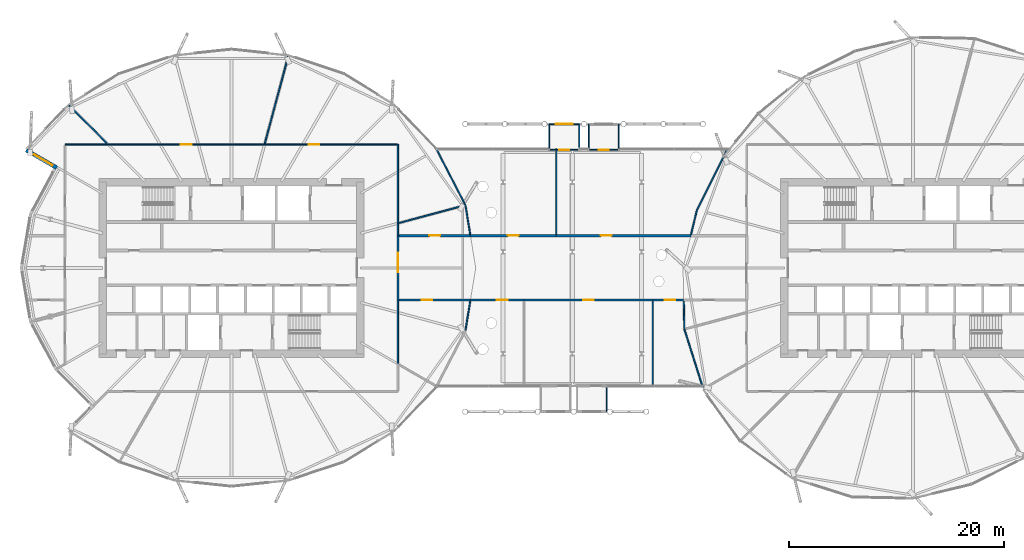
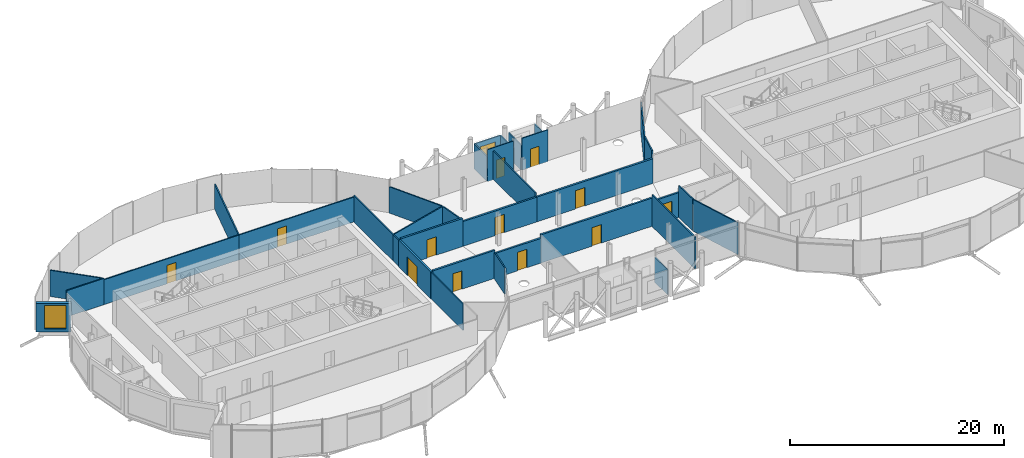
# One storey, part 26 of 39: 35 walls, 12 doors, 2 windows, 14 openings.
"""IFC4 building model written with IfcOpenShell, lengths in metres."""

from ifc_helpers import new_model, si_unit, direction, frame, frame_2d, origin, place, context, subcontext, project, spatial, rectangle, extrude, material, layer, layer_set, type_object, element, fill, save


model = new_model("IFC4")

# Units and contexts
model_context = context("Model", 3, precision=1e-05, world=origin(), true_north=direction((0.0, 1.0)))
body_context = subcontext(model_context, "Body", "Model", "MODEL_VIEW")
ifc_project = project(units=[si_unit("LENGTHUNIT", "METRE"), si_unit("AREAUNIT", "SQUARE_METRE"), si_unit("VOLUMEUNIT", "CUBIC_METRE"), si_unit("PLANEANGLEUNIT", "RADIAN"), si_unit("MASSUNIT", "GRAM", prefix="KILO")], contexts=[model_context])

# Site, building, storey
site_placement = place(None, origin())
site = spatial("IfcSite", under=ifc_project, at=site_placement, CompositionType="ELEMENT")
building_placement = place(site_placement, origin())
building = spatial("IfcBuilding", under=site, at=building_placement, Name="Rimbun Link Towers", CompositionType="ELEMENT")
storey_placement = place(building_placement, frame((0.0, 0.0, 143.0)))
storey = spatial("IfcBuildingStorey", under=building, at=storey_placement, Name="L34", CompositionType="ELEMENT", Elevation=143.0)

# Walls
ifc_material_1 = material(Name="Terracotta-faced insulated sandwich panel", Category="masonry")
ifc_layer_1 = layer(ifc_material_1, 0.10009765625)
ifc_layer_set_1 = layer_set([ifc_layer_1], Name="CAPSULE shell panel 100")
wall_type_1 = type_object("IfcWallType", Name="CAPSULE shell panel 100", PredefinedType="STANDARD", material=ifc_layer_set_1)
for number, where, z_axis, x_axis, name in (
    (1, (3.21337890625, -13.39990234375, -0.06005859375), (0.0, 0.0, 1.0), (0.0, 1.0, 0.0), "CAPSULE F34.12 shell panel 3"),
    (2, (0.646728515625, 11.0, -0.06005859375), (0.0, 0.0, 1.0), (0.0, 1.0, 0.0), "CAPSULE F34.01 shell panel 1"),
):
    element("IfcWall", number, at=place(storey_placement, frame(where, z_axis=z_axis, x_axis=x_axis)), inside=storey, type_object=wall_type_1, Name=name, PredefinedType="STANDARD", context=body_context, shape_type="SweptSolid", body=[
        extrude(rectangle(XDim=2.39990234375, YDim=0.10009765625, at=frame_2d((1.199951171875, 0.0))), origin(), (0.0, 0.0, 1.0), 2.85009765625),
    ])

# Wall, opening, window
wall_1_placement = place(storey_placement, frame((0.646728515625, 13.39990234375, -0.06005859375), z_axis=(0.0, 0.0, 1.0), x_axis=(-1.0, 0.0, 0.0)))
wall_1 = element("IfcWall", 3, at=wall_1_placement, inside=storey, type_object=wall_type_1, Name="CAPSULE F34.01 shell panel 2", PredefinedType="STANDARD", context=body_context, shape_type="SweptSolid", body=[
    extrude(rectangle(XDim=2.800048828125, YDim=0.10009765625, at=frame_2d((1.39990234375, 0.0))), origin(), (0.0, 0.0, 1.0), 2.85009765625),
])
opening_1_placement = place(wall_1_placement, frame((0.60009765625, 0.0, 0.89990234375)))
opening_1 = element("IfcOpeningElement", 4, at=opening_1_placement, cuts=wall_1, Name="Opening CN34.01", PredefinedType="OPENING", context=body_context, shape_type="SweptSolid", body=[
    extrude(rectangle(XDim=1.60009765625, YDim=1.39990234375, at=frame_2d((0.800048828125, 0.699951171875))), frame((0.0, 0.06005859375, 0.0), z_axis=(0.0, -1.0, 0.0), x_axis=(1.0, 0.0, 0.0)), (0.0, 0.0, 1.0), 0.1201171875),
])
ifc_material_2 = material(Name="Aluminium framed window, low-iron glass", Category="aluminium")
window_type_1 = type_object("IfcWindowType", Name="CAPSULE window 1600X1400", PartitioningType="SINGLE_PANEL", PredefinedType="WINDOW", material=ifc_material_2)
window_1_placement = place(opening_1_placement, origin())
window_1 = element("IfcWindow", 5, at=window_1_placement, inside=storey, type_object=window_type_1, Name="CAPSULE F34.01 window", OverallHeight=1.39990234375, OverallWidth=1.60009765625, PartitioningType="SINGLE_PANEL", PredefinedType="WINDOW", context=body_context, shape_type="SweptSolid", body=[
    extrude(rectangle(XDim=1.60009765625, YDim=1.39990234375, at=frame_2d((0.800048828125, 0.699951171875))), frame((0.0, 0.030029296875, 0.0), z_axis=(0.0, -1.0, 0.0), x_axis=(1.0, 0.0, 0.0)), (0.0, 0.0, 1.0), 0.06005859375),
])
fill(opening_1, window_1)

# Wall
wall_2_placement = place(storey_placement, frame((-2.1533203125, 13.39990234375, -0.06005859375), z_axis=(0.0, 0.0, 1.0), x_axis=(0.0, -1.0, 0.0)))
element("IfcWall", 6, at=wall_2_placement, inside=storey, type_object=wall_type_1, Name="CAPSULE F34.01 shell panel 3", PredefinedType="STANDARD", context=body_context, shape_type="SweptSolid", body=[
    extrude(rectangle(XDim=2.39990234375, YDim=0.10009765625, at=frame_2d((1.199951171875, 0.0))), origin(), (0.0, 0.0, 1.0), 2.85009765625),
])

# Wall, opening, door
wall_3_placement = place(storey_placement, frame((-2.1533203125, 11.0, -0.06005859375), z_axis=(0.0, 0.0, 1.0), x_axis=(1.0, 0.0, 0.0)))
wall_3 = element("IfcWall", 7, at=wall_3_placement, inside=storey, type_object=wall_type_1, Name="CAPSULE F34.01 shell panel 4", PredefinedType="STANDARD", context=body_context, shape_type="SweptSolid", body=[
    extrude(rectangle(XDim=2.800048828125, YDim=0.10009765625, at=frame_2d((1.39990234375, 0.0))), origin(), (0.0, 0.0, 1.0), 3.64013671875),
])
opening_2_placement = place(wall_3_placement, frame((0.949951171875, 0.0, 0.0)))
opening_2 = element("IfcOpeningElement", 8, at=opening_2_placement, cuts=wall_3, Name="Opening CD34.01", PredefinedType="OPENING", context=body_context, shape_type="SweptSolid", body=[
    extrude(rectangle(XDim=0.89990234375, YDim=2.10009765625, at=frame_2d((0.449951171875, 1.050048828125))), frame((0.0, 0.06005859375, 0.0), z_axis=(0.0, -1.0, 0.0), x_axis=(1.0, 0.0, 0.0)), (0.0, 0.0, 1.0), 0.1201171875),
])
ifc_material_3 = material(Name="Aluminium framed insulated door leaf", Category="aluminium")
door_type_1 = type_object("IfcDoorType", Name="CAPSULE door single leaf 900X2100", OperationType="SINGLE_SWING_LEFT", PredefinedType="DOOR", material=ifc_material_3)
door_1_placement = place(opening_2_placement, origin())
door_1 = element("IfcDoor", 9, at=door_1_placement, inside=storey, type_object=door_type_1, Name="CAPSULE F34.01 door", OperationType="SINGLE_SWING_RIGHT", OverallHeight=2.10009765625, OverallWidth=0.89990234375, PredefinedType="DOOR", context=body_context, shape_type="SweptSolid", body=[
    extrude(rectangle(XDim=0.89990234375, YDim=2.10009765625, at=frame_2d((0.449951171875, 1.050048828125))), frame((0.0, 0.02490234375, 0.0), z_axis=(0.0, -1.0, 0.0), x_axis=(1.0, 0.0, 0.0)), (0.0, 0.0, 1.0), 0.050048828125),
])
fill(opening_2, door_1)

# Walls
for number, where, z_axis, x_axis, name in (
    (10, (4.336669921875, 11.0, -0.06005859375), (0.0, 0.0, 1.0), (0.0, 1.0, 0.0), "CAPSULE F34.02 shell panel 1"),
    (11, (1.536865234375, 13.39990234375, -0.06005859375), (0.0, 0.0, 1.0), (0.0, -1.0, 0.0), "CAPSULE F34.02 shell panel 3"),
):
    element("IfcWall", number, at=place(storey_placement, frame(where, z_axis=z_axis, x_axis=x_axis)), inside=storey, type_object=wall_type_1, Name=name, PredefinedType="STANDARD", context=body_context, shape_type="SweptSolid", body=[
        extrude(rectangle(XDim=2.39990234375, YDim=0.10009765625, at=frame_2d((1.199951171875, 0.0))), origin(), (0.0, 0.0, 1.0), 2.85009765625),
    ])

# Wall, opening, door
wall_4_placement = place(storey_placement, frame((1.536865234375, 11.0, -0.06005859375), z_axis=(0.0, 0.0, 1.0), x_axis=(1.0, 0.0, 0.0)))
wall_4 = element("IfcWall", 12, at=wall_4_placement, inside=storey, type_object=wall_type_1, Name="CAPSULE F34.02 shell panel 4", PredefinedType="STANDARD", context=body_context, shape_type="SweptSolid", body=[
    extrude(rectangle(XDim=2.7998046875, YDim=0.10009765625, at=frame_2d((1.39990234375, 0.0))), origin(), (0.0, 0.0, 1.0), 3.64013671875),
])
opening_3_placement = place(wall_4_placement, frame((0.949951171875, 0.0, 0.0)))
opening_3 = element("IfcOpeningElement", 13, at=opening_3_placement, cuts=wall_4, Name="Opening CD34.02", PredefinedType="OPENING", context=body_context, shape_type="SweptSolid", body=[
    extrude(rectangle(XDim=0.89990234375, YDim=2.10009765625, at=frame_2d((0.449951171875, 1.050048828125))), frame((0.0, 0.06005859375, 0.0), z_axis=(0.0, -1.0, 0.0), x_axis=(1.0, 0.0, 0.0)), (0.0, 0.0, 1.0), 0.1201171875),
])
door_2_placement = place(opening_3_placement, origin())
door_2 = element("IfcDoor", 14, at=door_2_placement, inside=storey, type_object=door_type_1, Name="CAPSULE F34.02 door", OperationType="SINGLE_SWING_LEFT", OverallHeight=2.10009765625, OverallWidth=0.89990234375, PredefinedType="DOOR", context=body_context, shape_type="SweptSolid", body=[
    extrude(rectangle(XDim=0.89990234375, YDim=2.10009765625, at=frame_2d((0.449951171875, 1.050048828125))), frame((0.0, 0.02490234375, 0.0), z_axis=(0.0, -1.0, 0.0), x_axis=(1.0, 0.0, 0.0)), (0.0, 0.0, 1.0), 0.050048828125),
])
fill(opening_3, door_2)

# Wall, opening, window
ifc_material_4 = material(Name="Dark enamelled glass spandrel on insulated aluminium backpan", Category="aluminium")
ifc_layer_2 = layer(ifc_material_4, 0.3701171875)
ifc_layer_set_2 = layer_set([ifc_layer_2], Name="CS dark enamelled spandrel wall 370")
wall_type_2 = type_object("IfcWallType", Name="CS dark enamelled spandrel wall 370", PredefinedType="STANDARD", material=ifc_layer_set_2)
wall_5_placement = place(storey_placement, frame((-48.031494140625, 9.324951171875, 0.0), z_axis=(0.0, 0.0, 1.0), x_axis=(-0.866008333849, 0.50002956483, 0.0)))
wall_5 = element("IfcWall", 15, at=wall_5_placement, inside=storey, type_object=wall_type_2, Name="Crease spandrel wall", PredefinedType="STANDARD", context=body_context, shape_type="SweptSolid", body=[
    extrude(rectangle(XDim=3.280029296875, YDim=0.3701171875, at=frame_2d((1.64013671875, 0.0))), origin(), (0.0, 0.0, 1.0), 3.20361328125),
])
opening_4_placement = place(wall_5_placement, frame((0.4501953125, 0.0, 0.300048828125)))
opening_4 = element("IfcOpeningElement", 16, at=opening_4_placement, cuts=wall_5, Name="Opening WR20H270", PredefinedType="OPENING", context=body_context, shape_type="SweptSolid", body=[
    extrude(rectangle(XDim=2.0, YDim=2.699951171875, at=frame_2d((1.0, 1.35009765625))), frame((0.0, 0.195068359375, 0.0), z_axis=(0.0, -1.0, 0.0), x_axis=(1.0, 0.0, 0.0)), (0.0, 0.0, 1.0), 0.39013671875),
])
ifc_material_5 = material(Name="Aluminium framed fixed window, dark tinted low-e glass", Category="aluminium")
window_type_2 = type_object("IfcWindowType", Name="WR ribbon window 2000X2700", PartitioningType="SINGLE_PANEL", PredefinedType="WINDOW", material=ifc_material_5)
window_2_placement = place(opening_4_placement, origin())
window_2 = element("IfcWindow", 17, at=window_2_placement, inside=storey, type_object=window_type_2, Name="Crease ribbon window", OverallHeight=2.699951171875, OverallWidth=2.0, PartitioningType="SINGLE_PANEL", PredefinedType="WINDOW", context=body_context, shape_type="SweptSolid", body=[
    extrude(rectangle(XDim=2.0, YDim=2.699951171875, at=frame_2d((1.0, 1.35009765625))), frame((0.0, 0.030029296875, 0.0), z_axis=(0.0, -1.0, 0.0), x_axis=(1.0, 0.0, 0.0)), (0.0, 0.0, 1.0), 0.06005859375),
])
fill(opening_4, window_2)

# Wall, opening, door
ifc_material_6 = material(Name="Concrete blockwork", Category="masonry")
ifc_layer_3 = layer(ifc_material_6, 0.199951171875)
ifc_layer_set_3 = layer_set([ifc_layer_3], Name="Fire partition 200 blockwork")
wall_type_3 = type_object("IfcWallType", Name="Fire partition 200 blockwork", PredefinedType="PARTITIONING", material=ifc_layer_set_3)
wall_6_placement = place(storey_placement, frame((-1.5, 3.0, 0.0), z_axis=(0.0, 0.0, 1.0), x_axis=(-1.0, 0.0, 0.0)))
wall_6 = element("IfcWall", 18, at=wall_6_placement, inside=storey, type_object=wall_type_3, Name="TW/PW/L34/001", PredefinedType="PARTITIONING", context=body_context, shape_type="SweptSolid", body=[
    extrude(rectangle(XDim=7.98974609375, YDim=0.199951171875, at=frame_2d((3.994873046875, 0.0))), origin(), (0.0, 0.0, 1.0), 2.820068359375),
])
opening_5_placement = place(wall_6_placement, frame((3.4951171875, 0.0, 0.0)))
opening_5 = element("IfcOpeningElement", 19, at=opening_5_placement, cuts=wall_6, Name="Opening TW D34.19", PredefinedType="OPENING", context=body_context, shape_type="SweptSolid", body=[
    extrude(rectangle(XDim=1.0, YDim=2.10009765625, at=frame_2d((0.5, 1.050048828125))), frame((0.0, 0.10986328125, 0.0), z_axis=(0.0, -1.0, 0.0), x_axis=(1.0, 0.0, 0.0)), (0.0, 0.0, 1.0), 0.219970703125),
])
ifc_material_7 = material(Name="Steel fire door set", Category="steel")
door_type_2 = type_object("IfcDoorType", Name="Fire door single leaf 1000 x 2100", OperationType="NOTDEFINED", PredefinedType="DOOR", material=ifc_material_7)
door_3_placement = place(opening_5_placement, origin())
door_3 = element("IfcDoor", 20, at=door_3_placement, inside=storey, type_object=door_type_2, Name="TW/DR/L34/019", OperationType="SINGLE_SWING_RIGHT", OverallHeight=2.10009765625, OverallWidth=1.0, PredefinedType="DOOR", context=body_context, shape_type="SweptSolid", body=[
    extrude(rectangle(XDim=1.0, YDim=2.10009765625, at=frame_2d((0.5, 1.050048828125))), frame((0.0, 0.02490234375, 0.0), z_axis=(0.0, -1.0, 0.0), x_axis=(1.0, 0.0, 0.0)), (0.0, 0.0, 1.0), 0.050048828125),
])
fill(opening_5, door_3)

wall_7_placement = place(storey_placement, frame((11.0361328125, 3.0, 0.0), z_axis=(0.0, 0.0, 1.0), x_axis=(-1.0, 0.0, 0.0)))
wall_7 = element("IfcWall", 21, at=wall_7_placement, inside=storey, type_object=wall_type_3, Name="TW/PW/L34/002", PredefinedType="PARTITIONING", context=body_context, shape_type="SweptSolid", body=[
    extrude(rectangle(XDim=12.5361328125, YDim=0.199951171875, at=frame_2d((6.26806640625, 0.0))), origin(), (0.0, 0.0, 1.0), 2.820068359375),
])
opening_6_placement = place(wall_7_placement, frame((7.364013671875, 0.0, 0.0)))
opening_6 = element("IfcOpeningElement", 22, at=opening_6_placement, cuts=wall_7, Name="Opening TW D34.20", PredefinedType="OPENING", context=body_context, shape_type="SweptSolid", body=[
    extrude(rectangle(XDim=1.0, YDim=2.10009765625, at=frame_2d((0.5, 1.050048828125))), frame((0.0, 0.10986328125, 0.0), z_axis=(0.0, -1.0, 0.0), x_axis=(1.0, 0.0, 0.0)), (0.0, 0.0, 1.0), 0.219970703125),
])
door_4_placement = place(opening_6_placement, origin())
door_4 = element("IfcDoor", 23, at=door_4_placement, inside=storey, type_object=door_type_2, Name="TW/DR/L34/020", OperationType="SINGLE_SWING_LEFT", OverallHeight=2.10009765625, OverallWidth=1.0, PredefinedType="DOOR", context=body_context, shape_type="SweptSolid", body=[
    extrude(rectangle(XDim=1.0, YDim=2.10009765625, at=frame_2d((0.5, 1.050048828125))), frame((0.0, 0.02490234375, 0.0), z_axis=(0.0, -1.0, 0.0), x_axis=(1.0, 0.0, 0.0)), (0.0, 0.0, 1.0), 0.050048828125),
])
fill(opening_6, door_4)

wall_8_placement = place(storey_placement, frame((-9.48974609375, -3.0, 0.0), z_axis=(0.0, 0.0, 1.0), x_axis=(1.0, 0.0, 0.0)))
wall_8 = element("IfcWall", 24, at=wall_8_placement, inside=storey, type_object=wall_type_3, Name="TW/PW/L34/003", PredefinedType="PARTITIONING", context=body_context, shape_type="SweptSolid", body=[
    extrude(rectangle(XDim=4.98974609375, YDim=0.199951171875, at=frame_2d((2.494873046875, 0.0))), origin(), (0.0, 0.0, 1.0), 2.820068359375),
])
opening_7_placement = place(wall_8_placement, frame((2.4580078125, 0.0, 0.0)))
opening_7 = element("IfcOpeningElement", 25, at=opening_7_placement, cuts=wall_8, Name="Opening TW D34.21", PredefinedType="OPENING", context=body_context, shape_type="SweptSolid", body=[
    extrude(rectangle(XDim=1.0, YDim=2.10009765625, at=frame_2d((0.5, 1.050048828125))), frame((0.0, 0.10986328125, 0.0), z_axis=(0.0, -1.0, 0.0), x_axis=(1.0, 0.0, 0.0)), (0.0, 0.0, 1.0), 0.219970703125),
])
door_5_placement = place(opening_7_placement, origin())
door_5 = element("IfcDoor", 26, at=door_5_placement, inside=storey, type_object=door_type_2, Name="TW/DR/L34/021", OperationType="SINGLE_SWING_RIGHT", OverallHeight=2.10009765625, OverallWidth=1.0, PredefinedType="DOOR", context=body_context, shape_type="SweptSolid", body=[
    extrude(rectangle(XDim=1.0, YDim=2.10009765625, at=frame_2d((0.5, 1.050048828125))), frame((0.0, 0.02490234375, 0.0), z_axis=(0.0, -1.0, 0.0), x_axis=(1.0, 0.0, 0.0)), (0.0, 0.0, 1.0), 0.050048828125),
])
fill(opening_7, door_5)

wall_9_placement = place(storey_placement, frame((-4.5, -3.0, 0.0), z_axis=(0.0, 0.0, 1.0), x_axis=(1.0, 0.0, 0.0)))
wall_9 = element("IfcWall", 27, at=wall_9_placement, inside=storey, type_object=wall_type_3, Name="TW/PW/L34/004", PredefinedType="PARTITIONING", context=body_context, shape_type="SweptSolid", body=[
    extrude(rectangle(XDim=12.0, YDim=0.199951171875, at=frame_2d((6.0, 0.0))), origin(), (0.0, 0.0, 1.0), 3.214111328125),
])
opening_8_placement = place(wall_9_placement, frame((5.5, 0.0, 0.0)))
opening_8 = element("IfcOpeningElement", 28, at=opening_8_placement, cuts=wall_9, Name="Opening TW D34.22", PredefinedType="OPENING", context=body_context, shape_type="SweptSolid", body=[
    extrude(rectangle(XDim=1.0, YDim=2.10009765625, at=frame_2d((0.5, 1.050048828125))), frame((0.0, 0.10986328125, 0.0), z_axis=(0.0, -1.0, 0.0), x_axis=(1.0, 0.0, 0.0)), (0.0, 0.0, 1.0), 0.219970703125),
])
door_6_placement = place(opening_8_placement, origin())
door_6 = element("IfcDoor", 29, at=door_6_placement, inside=storey, type_object=door_type_2, Name="TW/DR/L34/022", OperationType="SINGLE_SWING_LEFT", OverallHeight=2.10009765625, OverallWidth=1.0, PredefinedType="DOOR", context=body_context, shape_type="SweptSolid", body=[
    extrude(rectangle(XDim=1.0, YDim=2.10009765625, at=frame_2d((0.5, 1.050048828125))), frame((0.0, 0.02490234375, 0.0), z_axis=(0.0, -1.0, 0.0), x_axis=(1.0, 0.0, 0.0)), (0.0, 0.0, 1.0), 0.050048828125),
])
fill(opening_8, door_6)

wall_10_placement = place(storey_placement, frame((7.5, -3.0, 0.0), z_axis=(0.0, 0.0, 1.0), x_axis=(1.0, 0.0, 0.0)))
wall_10 = element("IfcWall", 30, at=wall_10_placement, inside=storey, type_object=wall_type_3, Name="TW/PW/L34/005", PredefinedType="PARTITIONING", context=body_context, shape_type="SweptSolid", body=[
    extrude(rectangle(XDim=2.882080078125, YDim=0.199951171875, at=frame_2d((1.44091796875, 0.0))), origin(), (0.0, 0.0, 1.0), 2.820068359375),
])
opening_9_placement = place(wall_10_placement, frame((1.093994140625, 0.0, 0.0)))
opening_9 = element("IfcOpeningElement", 31, at=opening_9_placement, cuts=wall_10, Name="Opening TW D34.23", PredefinedType="OPENING", context=body_context, shape_type="SweptSolid", body=[
    extrude(rectangle(XDim=1.0, YDim=2.10009765625, at=frame_2d((0.5, 1.050048828125))), frame((0.0, 0.10986328125, 0.0), z_axis=(0.0, -1.0, 0.0), x_axis=(1.0, 0.0, 0.0)), (0.0, 0.0, 1.0), 0.219970703125),
])
door_7_placement = place(opening_9_placement, origin())
door_7 = element("IfcDoor", 32, at=door_7_placement, inside=storey, type_object=door_type_2, Name="TW/DR/L34/023", OperationType="SINGLE_SWING_RIGHT", OverallHeight=2.10009765625, OverallWidth=1.0, PredefinedType="DOOR", context=body_context, shape_type="SweptSolid", body=[
    extrude(rectangle(XDim=1.0, YDim=2.10009765625, at=frame_2d((0.5, 1.050048828125))), frame((0.0, 0.02490234375, 0.0), z_axis=(0.0, -1.0, 0.0), x_axis=(1.0, 0.0, 0.0)), (0.0, 0.0, 1.0), 0.050048828125),
])
fill(opening_9, door_7)

wall_11_placement = place(storey_placement, frame((-16.25, -3.0, 0.0), z_axis=(0.0, 0.0, 1.0), x_axis=(0.0, 1.0, 0.0)))
wall_11 = element("IfcWall", 33, at=wall_11_placement, inside=storey, type_object=wall_type_3, Name="TW/PW/L34/006", PredefinedType="PARTITIONING", context=body_context, shape_type="SweptSolid", body=[
    extrude(rectangle(XDim=6.0, YDim=0.199951171875, at=frame_2d((3.0, 0.0))), origin(), (0.0, 0.0, 1.0), 3.06689453125),
])
opening_10_placement = place(wall_11_placement, frame((2.594970703125, 0.0, 0.0)))
opening_10 = element("IfcOpeningElement", 34, at=opening_10_placement, cuts=wall_11, Name="Opening TW D34.24", PredefinedType="OPENING", context=body_context, shape_type="SweptSolid", body=[
    extrude(rectangle(XDim=1.800048828125, YDim=2.10009765625, at=frame_2d((0.89990234375, 1.050048828125))), frame((0.0, 0.10986328125, 0.0), z_axis=(0.0, -1.0, 0.0), x_axis=(1.0, 0.0, 0.0)), (0.0, 0.0, 1.0), 0.219970703125),
])
ifc_material_8 = material(Name="Steel fire door set", Category="steel")
door_type_3 = type_object("IfcDoorType", Name="Fire door double leaf 1800 x 2100", OperationType="NOTDEFINED", PredefinedType="DOOR", material=ifc_material_8)
door_8_placement = place(opening_10_placement, origin())
door_8 = element("IfcDoor", 35, at=door_8_placement, inside=storey, type_object=door_type_3, Name="TW/DR/L34/024", OperationType="DOUBLE_DOOR_SINGLE_SWING", OverallHeight=2.10009765625, OverallWidth=1.800048828125, PredefinedType="DOOR", context=body_context, shape_type="SweptSolid", body=[
    extrude(rectangle(XDim=1.800048828125, YDim=2.10009765625, at=frame_2d((0.89990234375, 1.050048828125))), frame((0.0, 0.02490234375, 0.0), z_axis=(0.0, -1.0, 0.0), x_axis=(1.0, 0.0, 0.0)), (0.0, 0.0, 1.0), 0.050048828125),
])
fill(opening_10, door_8)

wall_12_placement = place(storey_placement, frame((-9.48974609375, 3.0, 0.0), z_axis=(0.0, 0.0, 1.0), x_axis=(-1.0, 0.0, 0.0)))
wall_12 = element("IfcWall", 36, at=wall_12_placement, inside=storey, type_object=wall_type_3, Name="TW/PW/L34/022", PredefinedType="PARTITIONING", context=body_context, shape_type="SweptSolid", body=[
    extrude(rectangle(XDim=6.66015625, YDim=0.199951171875, at=frame_2d((3.330078125, 0.0))), origin(), (0.0, 0.0, 1.0), 3.194091796875),
])
opening_11_placement = place(wall_12_placement, frame((2.830078125, 0.0, 0.0)))
opening_11 = element("IfcOpeningElement", 37, at=opening_11_placement, cuts=wall_12, Name="Opening TW D34.04", PredefinedType="OPENING", context=body_context, shape_type="SweptSolid", body=[
    extrude(rectangle(XDim=1.0, YDim=2.10009765625, at=frame_2d((0.5, 1.050048828125))), frame((0.0, 0.10986328125, 0.0), z_axis=(0.0, -1.0, 0.0), x_axis=(1.0, 0.0, 0.0)), (0.0, 0.0, 1.0), 0.219970703125),
])
door_9_placement = place(opening_11_placement, origin())
door_9 = element("IfcDoor", 38, at=door_9_placement, inside=storey, type_object=door_type_2, Name="TW/DR/L34/004", OperationType="SINGLE_SWING_LEFT", OverallHeight=2.10009765625, OverallWidth=1.0, PredefinedType="DOOR", context=body_context, shape_type="SweptSolid", body=[
    extrude(rectangle(XDim=1.0, YDim=2.10009765625, at=frame_2d((0.5, 1.050048828125))), frame((0.0, 0.02490234375, 0.0), z_axis=(0.0, -1.0, 0.0), x_axis=(1.0, 0.0, 0.0)), (0.0, 0.0, 1.0), 0.050048828125),
])
fill(opening_11, door_9)

wall_13_placement = place(storey_placement, frame((-16.14990234375, -3.0, 0.0), z_axis=(0.0, 0.0, 1.0), x_axis=(1.0, 0.0, 0.0)))
wall_13 = element("IfcWall", 39, at=wall_13_placement, inside=storey, type_object=wall_type_3, Name="TW/PW/L34/023", PredefinedType="PARTITIONING", context=body_context, shape_type="SweptSolid", body=[
    extrude(rectangle(XDim=6.66015625, YDim=0.199951171875, at=frame_2d((3.330078125, 0.0))), origin(), (0.0, 0.0, 1.0), 3.194091796875),
])
opening_12_placement = place(wall_13_placement, frame((2.115966796875, 0.0, 0.0)))
opening_12 = element("IfcOpeningElement", 40, at=opening_12_placement, cuts=wall_13, Name="Opening TW D34.05", PredefinedType="OPENING", context=body_context, shape_type="SweptSolid", body=[
    extrude(rectangle(XDim=1.0, YDim=2.10009765625, at=frame_2d((0.5, 1.050048828125))), frame((0.0, 0.10986328125, 0.0), z_axis=(0.0, -1.0, 0.0), x_axis=(1.0, 0.0, 0.0)), (0.0, 0.0, 1.0), 0.219970703125),
])
door_10_placement = place(opening_12_placement, origin())
door_10 = element("IfcDoor", 41, at=door_10_placement, inside=storey, type_object=door_type_2, Name="TW/DR/L34/005", OperationType="SINGLE_SWING_RIGHT", OverallHeight=2.10009765625, OverallWidth=1.0, PredefinedType="DOOR", context=body_context, shape_type="SweptSolid", body=[
    extrude(rectangle(XDim=1.0, YDim=2.10009765625, at=frame_2d((0.5, 1.050048828125))), frame((0.0, 0.02490234375, 0.0), z_axis=(0.0, -1.0, 0.0), x_axis=(1.0, 0.0, 0.0)), (0.0, 0.0, 1.0), 0.050048828125),
])
fill(opening_12, door_10)

# Walls
ifc_material_9 = material(Name="Gypsum board on steel studs", Category="steel")
ifc_layer_4 = layer(ifc_material_9, 0.125)
ifc_layer_set_4 = layer_set([ifc_layer_4], Name="Partition 125 board on studs")
wall_type_4 = type_object("IfcWallType", Name="Partition 125 board on studs", PredefinedType="PARTITIONING", material=ifc_layer_set_4)
wall_14_placement = place(storey_placement, frame((-16.25, 3.0, 0.0), z_axis=(0.0, 0.0, 1.0), x_axis=(0.0, 1.0, 0.0)))
element("IfcWall", 42, at=wall_14_placement, inside=storey, type_object=wall_type_4, Name="TW/PW/L34/014", PredefinedType="PARTITIONING", context=body_context, shape_type="SweptSolid", body=[
    extrude(rectangle(XDim=1.1533203125, YDim=0.125, at=frame_2d((0.57666015625, 0.0))), origin(), (0.0, 0.0, 1.0), 2.9970703125),
])
wall_15_placement = place(storey_placement, frame((-16.25, -8.948974609375, 0.0), z_axis=(0.0, 0.0, 1.0), x_axis=(0.0, 1.0, 0.0)))
element("IfcWall", 43, at=wall_15_placement, inside=storey, type_object=wall_type_4, Name="TW/PW/L34/015", PredefinedType="PARTITIONING", context=body_context, shape_type="SweptSolid", body=[
    extrude(rectangle(XDim=5.948974609375, YDim=0.125, at=frame_2d((2.974609375, 0.0))), origin(), (0.0, 0.0, 1.0), 2.9970703125),
])
wall_16_placement = place(storey_placement, frame((-16.25, 4.1533203125, 0.0), z_axis=(0.0, 0.0, 1.0), x_axis=(0.0, 1.0, 0.0)))
element("IfcWall", 44, at=wall_16_placement, inside=storey, type_object=wall_type_4, Name="TW/PW/L34/016", PredefinedType="PARTITIONING", context=body_context, shape_type="SweptSolid", body=[
    extrude(rectangle(XDim=7.3466796875, YDim=0.125, at=frame_2d((3.67333984375, 0.0))), origin(), (0.0, 0.0, 1.0), 2.9970703125),
])

# Wall, opening, door
wall_17_placement = place(storey_placement, frame((-16.3125, 11.5, 0.0), z_axis=(0.0, 0.0, 1.0), x_axis=(-1.0, 0.0, 0.0)))
wall_17 = element("IfcWall", 45, at=wall_17_placement, inside=storey, type_object=wall_type_4, Name="TW/PW/L34/017", PredefinedType="PARTITIONING", context=body_context, shape_type="SweptSolid", body=[
    extrude(rectangle(XDim=12.356201171875, YDim=0.125, at=frame_2d((6.17822265625, 0.0))), origin(), (0.0, 0.0, 1.0), 2.837890625),
])
opening_13_placement = place(wall_17_placement, frame((7.24609375, 0.0, 0.0)))
opening_13 = element("IfcOpeningElement", 46, at=opening_13_placement, cuts=wall_17, Name="Opening TW D34.06", PredefinedType="OPENING", context=body_context, shape_type="SweptSolid", body=[
    extrude(rectangle(XDim=1.0, YDim=2.10009765625, at=frame_2d((0.5, 1.050048828125))), frame((0.0, 0.072509765625, 0.0), z_axis=(0.0, -1.0, 0.0), x_axis=(1.0, 0.0, 0.0)), (0.0, 0.0, 1.0), 0.14501953125),
])
ifc_material_10 = material(Name="Timber door set", Category="wood")
door_type_4 = type_object("IfcDoorType", Name="Door single leaf 1000 x 2100", OperationType="NOTDEFINED", PredefinedType="DOOR", material=ifc_material_10)
door_11_placement = place(opening_13_placement, origin())
door_11 = element("IfcDoor", 47, at=door_11_placement, inside=storey, type_object=door_type_4, Name="TW/DR/L34/006", OperationType="SINGLE_SWING_LEFT", OverallHeight=2.10009765625, OverallWidth=1.0, PredefinedType="DOOR", context=body_context, shape_type="SweptSolid", body=[
    extrude(rectangle(XDim=1.0, YDim=2.10009765625, at=frame_2d((0.5, 1.050048828125))), frame((0.0, 0.02490234375, 0.0), z_axis=(0.0, -1.0, 0.0), x_axis=(1.0, 0.0, 0.0)), (0.0, 0.0, 1.0), 0.050048828125),
])
fill(opening_13, door_11)

wall_18_placement = place(storey_placement, frame((-28.668701171875, 11.5, 0.0), z_axis=(0.0, 0.0, 1.0), x_axis=(-1.0, 0.0, 0.0)))
wall_18 = element("IfcWall", 48, at=wall_18_placement, inside=storey, type_object=wall_type_4, Name="TW/PW/L34/018", PredefinedType="PARTITIONING", context=body_context, shape_type="SweptSolid", body=[
    extrude(rectangle(XDim=14.581298828125, YDim=0.125, at=frame_2d((7.29052734375, 0.0))), origin(), (0.0, 0.0, 1.0), 2.837890625),
])
opening_14_placement = place(wall_18_placement, frame((6.791015625, 0.0, 0.0)))
opening_14 = element("IfcOpeningElement", 49, at=opening_14_placement, cuts=wall_18, Name="Opening TW D34.07", PredefinedType="OPENING", context=body_context, shape_type="SweptSolid", body=[
    extrude(rectangle(XDim=1.0, YDim=2.10009765625, at=frame_2d((0.5, 1.050048828125))), frame((0.0, 0.072509765625, 0.0), z_axis=(0.0, -1.0, 0.0), x_axis=(1.0, 0.0, 0.0)), (0.0, 0.0, 1.0), 0.14501953125),
])
door_12_placement = place(opening_14_placement, origin())
door_12 = element("IfcDoor", 50, at=door_12_placement, inside=storey, type_object=door_type_4, Name="TW/DR/L34/007", OperationType="SINGLE_SWING_RIGHT", OverallHeight=2.10009765625, OverallWidth=1.0, PredefinedType="DOOR", context=body_context, shape_type="SweptSolid", body=[
    extrude(rectangle(XDim=1.0, YDim=2.10009765625, at=frame_2d((0.5, 1.050048828125))), frame((0.0, 0.02490234375, 0.0), z_axis=(0.0, -1.0, 0.0), x_axis=(1.0, 0.0, 0.0)), (0.0, 0.0, 1.0), 0.050048828125),
])
fill(opening_14, door_12)

# Walls
wall_19_placement = place(storey_placement, frame((-43.25, 11.5, 0.0), z_axis=(0.0, 0.0, 1.0), x_axis=(-1.0, 0.0, 0.0)))
element("IfcWall", 51, at=wall_19_placement, inside=storey, type_object=wall_type_4, Name="TW/PW/L34/020", PredefinedType="PARTITIONING", context=body_context, shape_type="SweptSolid", body=[
    extrude(rectangle(XDim=4.0, YDim=0.125, at=frame_2d((2.0, 0.0))), origin(), (0.0, 0.0, 1.0), 2.9970703125),
])
wall_20_placement = place(storey_placement, frame((-9.956787109375, 5.839599609375, 0.0), z_axis=(0.0, 0.0, 1.0), x_axis=(-0.96592247454, -0.258831553677, 0.0)))
element("IfcWall", 52, at=wall_20_placement, inside=storey, type_object=wall_type_4, Name="TW/PW/L34/029", PredefinedType="PARTITIONING", context=body_context, shape_type="SweptSolid", body=[
    extrude(rectangle(XDim=6.433837890625, YDim=0.125, at=frame_2d((3.216796875, 0.0))), origin(), (0.0, 0.0, 1.0), 2.9970703125),
])
wall_21_placement = place(storey_placement, frame((-9.508056640625, 3.110107421875, 0.0), z_axis=(0.0, 0.0, 1.0), x_axis=(-0.162211429782, 0.986756024582, 0.0)))
element("IfcWall", 53, at=wall_21_placement, inside=storey, type_object=wall_type_4, Name="TW/PW/L34/030", PredefinedType="PARTITIONING", context=body_context, shape_type="SweptSolid", body=[
    extrude(rectangle(XDim=2.697021484375, YDim=0.125, at=frame_2d((1.3486328125, 0.0))), origin(), (0.0, 0.0, 1.0), 2.9970703125),
])
wall_22_placement = place(storey_placement, frame((-9.95361328125, -5.81982421875, 0.0), z_axis=(0.0, 0.0, 1.0), x_axis=(0.162250475655, 0.986749605092, 0.0)))
element("IfcWall", 54, at=wall_22_placement, inside=storey, type_object=wall_type_4, Name="TW/PW/L34/032", PredefinedType="PARTITIONING", context=body_context, shape_type="SweptSolid", body=[
    extrude(rectangle(XDim=2.74609375, YDim=0.125, at=frame_2d((1.373046875, 0.0))), origin(), (0.0, 0.0, 1.0), 2.9970703125),
])
wall_23_placement = place(storey_placement, frame((-26.435302734375, 19.835205078125, 0.0), z_axis=(0.0, 0.0, 1.0), x_axis=(-0.258798426051, -0.965931350911, 0.0)))
element("IfcWall", 55, at=wall_23_placement, inside=storey, type_object=wall_type_4, Name="TW/PW/L34/033", PredefinedType="PARTITIONING", context=body_context, shape_type="SweptSolid", body=[
    extrude(rectangle(XDim=8.5478515625, YDim=0.125, at=frame_2d((4.27392578125, 0.0))), origin(), (0.0, 0.0, 1.0), 2.837890625),
])
wall_24_placement = place(storey_placement, frame((-9.991455078125, 5.906494140625, 0.0), z_axis=(0.0, 0.0, 1.0), x_axis=(-0.459564542477, 0.888144375256, 0.0)))
element("IfcWall", 56, at=wall_24_placement, inside=storey, type_object=wall_type_4, Name="TW/PW/L34/034", PredefinedType="PARTITIONING", context=body_context, shape_type="SweptSolid", body=[
    extrude(rectangle(XDim=5.81494140625, YDim=0.125, at=frame_2d((2.907470703125, 0.0))), origin(), (0.0, 0.0, 1.0), 2.9970703125),
])
wall_25_placement = place(storey_placement, frame((-46.904296875, 15.154296875, 0.0), z_axis=(0.0, 0.0, 1.0), x_axis=(0.707106781187, -0.707106781187, 0.0)))
element("IfcWall", 57, at=wall_25_placement, inside=storey, type_object=wall_type_4, Name="TW/PW/L34/035", PredefinedType="PARTITIONING", context=body_context, shape_type="SweptSolid", body=[
    extrude(rectangle(XDim=5.01708984375, YDim=0.125, at=frame_2d((2.508544921875, 0.0))), origin(), (0.0, 0.0, 1.0), 2.9970703125),
])
wall_26_placement = place(storey_placement, frame((10.43603515625, -5.70068359375, 0.0), z_axis=(0.0, 0.0, 1.0), x_axis=(0.303057162415, -0.952972379615, 0.0)))
element("IfcWall", 58, at=wall_26_placement, inside=storey, type_object=wall_type_4, Name="TW/PW/L34/055", PredefinedType="PARTITIONING", context=body_context, shape_type="SweptSolid", body=[
    extrude(rectangle(XDim=5.640869140625, YDim=0.125, at=frame_2d((2.8203125, 0.0))), origin(), (0.0, 0.0, 1.0), 3.6201171875),
])
wall_27_placement = place(storey_placement, frame((10.384033203125, -3.101318359375, 0.0), z_axis=(0.0, 0.0, 1.0), x_axis=(0.021134274665, -0.999776646274, 0.0)))
element("IfcWall", 59, at=wall_27_placement, inside=storey, type_object=wall_type_4, Name="TW/PW/L34/061", PredefinedType="PARTITIONING", context=body_context, shape_type="SweptSolid", body=[
    extrude(rectangle(XDim=2.52978515625, YDim=0.125, at=frame_2d((1.264892578125, 0.0))), origin(), (0.0, 0.0, 1.0), 3.6201171875),
])
wall_28_placement = place(storey_placement, frame((14.459228515625, 11.071533203125, 0.0), z_axis=(0.0, 0.0, 1.0), x_axis=(-0.448781509289, -0.89364151477, 0.0)))
element("IfcWall", 60, at=wall_28_placement, inside=storey, type_object=wall_type_4, Name="TW/PW/L34/063", PredefinedType="PARTITIONING", context=body_context, shape_type="SweptSolid", body=[
    extrude(rectangle(XDim=6.35009765625, YDim=0.125, at=frame_2d((3.175048828125, 0.0))), origin(), (0.0, 0.0, 1.0), 3.14697265625),
])
wall_29_placement = place(storey_placement, frame((11.609375, 5.396728515625, 0.0), z_axis=(0.0, 0.0, 1.0), x_axis=(-0.232534702943, -0.972588099828, 0.0)))
element("IfcWall", 61, at=wall_29_placement, inside=storey, type_object=wall_type_4, Name="TW/PW/L34/064", PredefinedType="PARTITIONING", context=body_context, shape_type="SweptSolid", body=[
    extrude(rectangle(XDim=2.346435546875, YDim=0.125, at=frame_2d((1.17333984375, 0.0))), origin(), (0.0, 0.0, 1.0), 3.6201171875),
])
wall_30_placement = place(storey_placement, frame((-1.5, 3.10009765625, 0.0), z_axis=(0.0, 0.0, 1.0), x_axis=(0.0, 1.0, 0.0)))
element("IfcWall", 62, at=wall_30_placement, inside=storey, type_object=wall_type_4, Name="TW/PW/L34/065", PredefinedType="PARTITIONING", context=body_context, shape_type="SweptSolid", body=[
    extrude(rectangle(XDim=7.97998046875, YDim=0.125, at=frame_2d((3.989990234375, 0.0))), origin(), (0.0, 0.0, 1.0), 3.214111328125),
])
wall_31_placement = place(storey_placement, frame((7.5, -11.080078125, 0.0), z_axis=(0.0, 0.0, 1.0), x_axis=(0.0, 1.0, 0.0)))
element("IfcWall", 63, at=wall_31_placement, inside=storey, type_object=wall_type_4, Name="TW/PW/L34/067", PredefinedType="PARTITIONING", context=body_context, shape_type="SweptSolid", body=[
    extrude(rectangle(XDim=7.97998046875, YDim=0.125, at=frame_2d((3.989990234375, 0.0))), origin(), (0.0, 0.0, 1.0), 3.6201171875),
])

save(model, "model.ifc")
